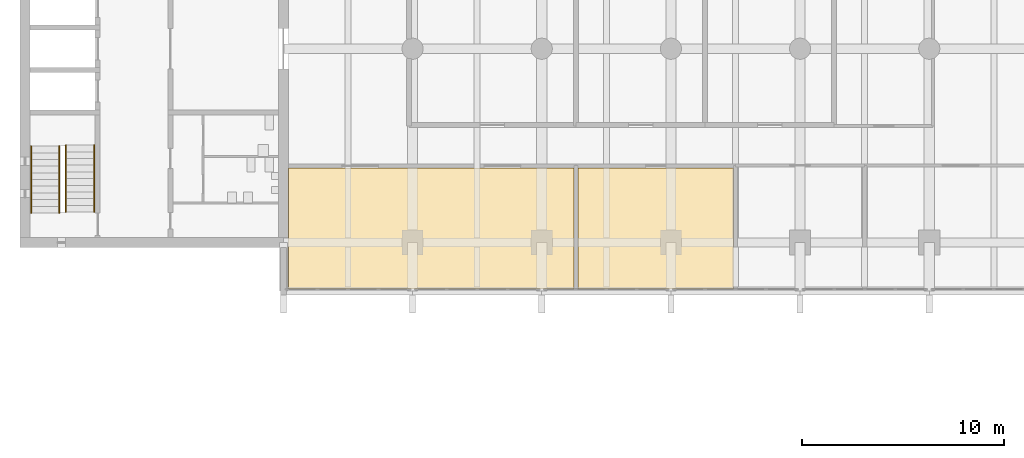
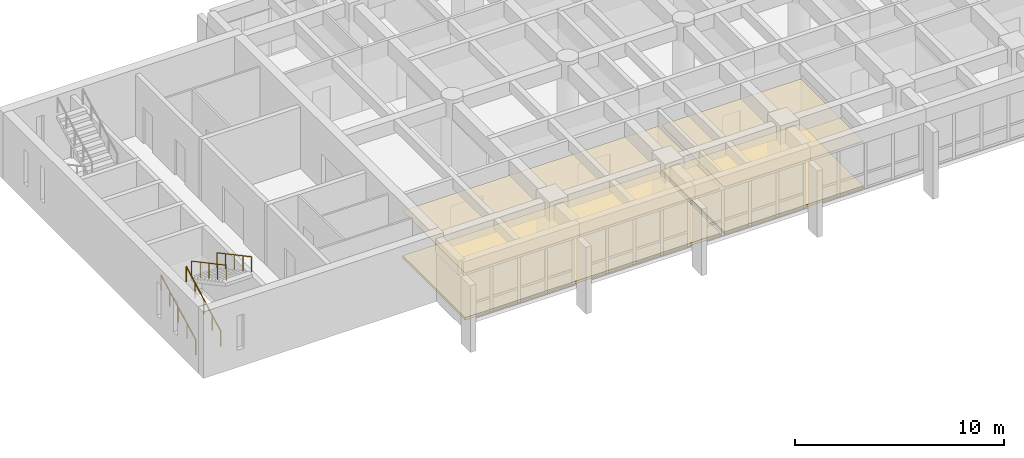
# One storey, part 16 of 19: 4 coverings, 4 railings.
"""IFC4 building model written with IfcOpenShell, lengths in metres."""

from ifc_helpers import new_model, si_unit, direction, frame, origin, origin_2d, place, context, subcontext, project, spatial, polyline, circle, outline, extrude, material, layer, layer_set, type_object, element, save


model = new_model("IFC4")

# Units and contexts
model_context = context("Model", 3, precision=1e-05, world=origin(), true_north=direction((0.0, 1.0)))
body_context = subcontext(model_context, "Body", "Model", "MODEL_VIEW")
ifc_project = project(units=[si_unit("LENGTHUNIT", "METRE"), si_unit("AREAUNIT", "SQUARE_METRE"), si_unit("VOLUMEUNIT", "CUBIC_METRE"), si_unit("PLANEANGLEUNIT", "RADIAN"), si_unit("MASSUNIT", "GRAM", prefix="KILO")], contexts=[model_context])

# Site, building, storey
site_placement = place(None, origin())
site = spatial("IfcSite", under=ifc_project, at=site_placement, CompositionType="ELEMENT")
building_placement = place(site_placement, origin())
building = spatial("IfcBuilding", under=site, at=building_placement, Name="Fogon Plaza Fire Station and Headquarters Tower", CompositionType="ELEMENT")
storey_placement = place(building_placement, frame((0.0, 0.0, 21.0)))
storey = spatial("IfcBuildingStorey", under=building, at=storey_placement, Name="L05", CompositionType="ELEMENT", Elevation=21.0)

# Railings
ifc_material_1 = material(Name="Steel", Category="steel")
railing_type = type_object("IfcRailingType", Name="Stair Handrail 900", PredefinedType="HANDRAIL", material=ifc_material_1)
for number, where, name in (
    (1, (13.10009765625, 35.06005859375, 0.17724609375), "Handrail ST1"),
    (2, (14.5, 35.06005859375, 0.17724609375), "Handrail ST1"),
):
    element("IfcRailing", number, at=place(storey_placement, frame(where)), inside=storey, type_object=railing_type, Name=name, PredefinedType="HANDRAIL", context=body_context, shape_type="SweptSolid", body=[
        extrude(circle(Radius=0.02392578125, at=origin_2d()), frame((0.0, 0.0, 0.8759765625), z_axis=(0.0, 0.881829236777, 0.471568867892), x_axis=(-1.0, 0.0, 0.0)), (0.0, 0.0, 1.0), 3.75927734375),
        extrude(circle(Radius=0.02099609375, at=origin_2d()), origin(), (0.0, 0.0, 1.0), 0.851806640625),
        extrude(circle(Radius=0.02099609375, at=origin_2d()), frame((0.0, 0.82861328125, 0.443115234375)), (0.0, 0.0, 1.0), 0.851806640625),
        extrude(circle(Radius=0.02099609375, at=origin_2d()), frame((0.0, 1.657470703125, 0.88623046875)), (0.0, 0.0, 1.0), 0.851806640625),
        extrude(circle(Radius=0.02099609375, at=origin_2d()), frame((0.0, 2.486328125, 1.32958984375)), (0.0, 0.0, 1.0), 0.851806640625),
        extrude(circle(Radius=0.02099609375, at=origin_2d()), frame((0.0, 3.31494140625, 1.772705078125)), (0.0, 0.0, 1.0), 0.851806640625),
    ])
for number, where, name in (
    (3, (16.22509765625, 38.425048828125, 2.127197265625), "Handrail ST1"),
    (4, (14.824951171875, 38.425048828125, 2.127197265625), "Handrail ST1"),
):
    element("IfcRailing", number, at=place(storey_placement, frame(where)), inside=storey, type_object=railing_type, Name=name, PredefinedType="HANDRAIL", context=body_context, shape_type="SweptSolid", body=[
        extrude(circle(Radius=0.02392578125, at=origin_2d()), frame((0.0, 0.0, 0.8759765625), z_axis=(0.0, -0.881829236777, 0.471568867892), x_axis=(1.0, 0.0, 0.0)), (0.0, 0.0, 1.0), 3.75927734375),
        extrude(circle(Radius=0.02099609375, at=origin_2d()), origin(), (0.0, 0.0, 1.0), 0.851806640625),
        extrude(circle(Radius=0.02099609375, at=origin_2d()), frame((0.0, -0.82861328125, 0.443115234375)), (0.0, 0.0, 1.0), 0.851806640625),
        extrude(circle(Radius=0.02099609375, at=origin_2d()), frame((0.0, -1.657470703125, 0.88623046875)), (0.0, 0.0, 1.0), 0.851806640625),
        extrude(circle(Radius=0.02099609375, at=origin_2d()), frame((0.0, -2.486328125, 1.32958984375)), (0.0, 0.0, 1.0), 0.851806640625),
        extrude(circle(Radius=0.02099609375, at=origin_2d()), frame((0.0, -3.31494140625, 1.772705078125)), (0.0, 0.0, 1.0), 0.851806640625),
    ])

# Coverings
ifc_material_2 = material(Name="Acoustic ceiling tile")
ifc_layer_1 = layer(ifc_material_2, 0.050048828125)
ifc_layer_set_1 = layer_set([ifc_layer_1], Name="Acoustic ceiling tile")
covering_type_1 = type_object("IfcCoveringType", Name="Tower acoustic ceiling", PredefinedType="CEILING", material=ifc_layer_set_1)
covering_1_placement = place(storey_placement, frame((0.0, 0.0, 2.72998046875)))
element("IfcCovering", 5, at=covering_1_placement, inside=storey, type_object=covering_type_1, Name="cov-cl-L05-01", PredefinedType="CEILING", context=body_context, shape_type="SweptSolid", body=[
    extrude(outline(polyline([(39.989990234375, 31.300048828125), (39.989990234375, 37.300048828125), (25.85009765625, 37.300048828125), (25.85009765625, 31.300048828125), (39.989990234375, 31.300048828125)])), origin(), (0.0, 0.0, 1.0), 0.050048828125),
])
covering_2_placement = place(storey_placement, frame((0.0, 0.0, 2.72998046875)))
element("IfcCovering", 6, at=covering_2_placement, inside=storey, type_object=covering_type_1, Name="cov-cl-L05-02", PredefinedType="CEILING", context=body_context, shape_type="SweptSolid", body=[
    extrude(outline(polyline([(47.89990234375, 31.300048828125), (47.89990234375, 37.300048828125), (40.18994140625, 37.300048828125), (40.18994140625, 31.300048828125), (47.89990234375, 31.300048828125)])), origin(), (0.0, 0.0, 1.0), 0.050048828125),
])
ifc_material_3 = material(Name="Raised access floor panels")
ifc_layer_2 = layer(ifc_material_3, 0.14990234375)
ifc_layer_set_2 = layer_set([ifc_layer_2], Name="Raised access floor panels")
covering_type_2 = type_object("IfcCoveringType", Name="Tower raised access floor", PredefinedType="FLOORING", material=ifc_layer_set_2)
covering_3_placement = place(storey_placement, origin())
element("IfcCovering", 7, at=covering_3_placement, inside=storey, type_object=covering_type_2, Name="cov-fl-L05-01", PredefinedType="FLOORING", context=body_context, shape_type="SweptSolid", body=[
    extrude(outline(polyline([(39.989990234375, 31.300048828125), (39.989990234375, 37.300048828125), (25.85009765625, 37.300048828125), (25.85009765625, 31.300048828125), (39.989990234375, 31.300048828125)])), origin(), (0.0, 0.0, 1.0), 0.14990234375),
])
covering_4_placement = place(storey_placement, origin())
element("IfcCovering", 8, at=covering_4_placement, inside=storey, type_object=covering_type_2, Name="cov-fl-L05-02", PredefinedType="FLOORING", context=body_context, shape_type="SweptSolid", body=[
    extrude(outline(polyline([(47.89990234375, 31.300048828125), (47.89990234375, 37.300048828125), (40.18994140625, 37.300048828125), (40.18994140625, 31.300048828125), (47.89990234375, 31.300048828125)])), origin(), (0.0, 0.0, 1.0), 0.14990234375),
])

save(model, "model.ifc")
